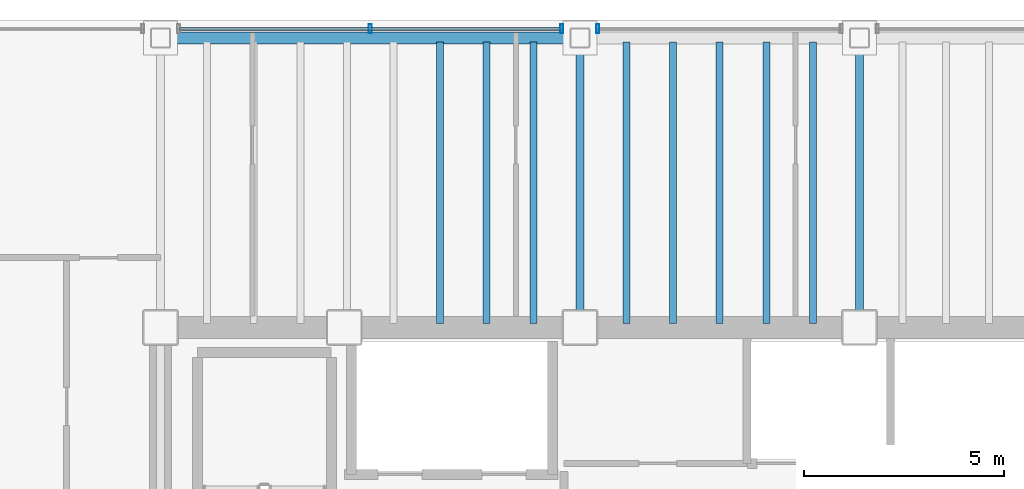
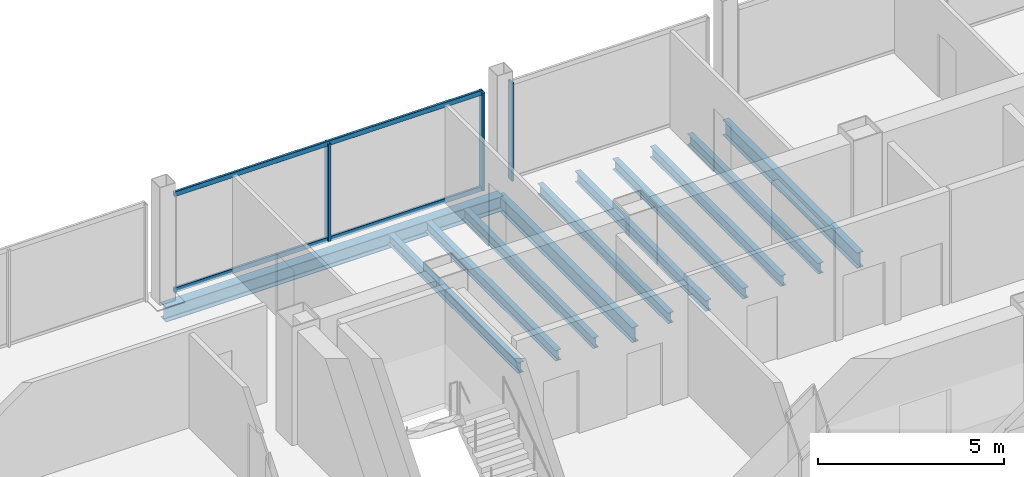
# One storey, part 9 of 19: 11 beams, 5 members, 2 elements without a shape of their own.
"""IFC4 building model written with IfcOpenShell, lengths in metres."""

from ifc_helpers import new_model, si_unit, direction, frame, origin, origin_2d, place, context, subcontext, project, spatial, hollow_rectangle, i_section, extrude, material, material_profile, profile_set, type_object, element, aggregate, save


model = new_model("IFC4")

# Units and contexts
model_context = context("Model", 3, precision=1e-05, world=origin(), true_north=direction((0.0, 1.0)))
body_context = subcontext(model_context, "Body", "Model", "MODEL_VIEW")
ifc_project = project(units=[si_unit("LENGTHUNIT", "METRE"), si_unit("AREAUNIT", "SQUARE_METRE"), si_unit("VOLUMEUNIT", "CUBIC_METRE"), si_unit("PLANEANGLEUNIT", "RADIAN"), si_unit("MASSUNIT", "GRAM", prefix="KILO")], contexts=[model_context])

# Site, building, storey
site_placement = place(None, origin())
site = spatial("IfcSite", under=ifc_project, at=site_placement, CompositionType="ELEMENT")
building_placement = place(site_placement, origin())
building = spatial("IfcBuilding", under=site, at=building_placement, Name="Noeulbin Bourse Tower", CompositionType="ELEMENT")
storey_placement = place(building_placement, frame((0.0, 0.0, 153.89990234375)))
storey = spatial("IfcBuildingStorey", under=building, at=storey_placement, Name="L38", CompositionType="ELEMENT", Elevation=153.89990234375)

# Beams
ifc_material_1 = material(Name="Steel S355", Category="steel")
ifc_material_profile_1 = material_profile(ifc_material_1, i_section(OverallWidth=0.199951171875, OverallDepth=0.5, WebThickness=0.010009765625, FlangeThickness=0.01611328125, FilletRadius=0.02001953125, at=origin_2d()), Name="H-500x200x10x16", Category="LoadBearing")
ifc_profile_set_1 = profile_set([ifc_material_profile_1], Name="Steel S355")
beam_type_1 = type_object("IfcBeamType", Name="BM-GRD-500", PredefinedType="USERDEFINED", material=ifc_profile_set_1)
for number, where, z_axis, x_axis, name in (
    (1, (24.0, 38.300048828125, -0.429931640625), (0.0, 1.0, 0.0), (-1.0, 0.0, 0.0), "Tower Primary Girder NS L38-2.4"),
    (2, (31.0, 38.300048828125, -0.429931640625), (0.0, 1.0, 0.0), (-1.0, 0.0, 0.0), "Tower Primary Girder NS L38-3.4"),
):
    element("IfcBeam", number, at=place(storey_placement, frame(where, z_axis=z_axis, x_axis=x_axis)), inside=storey, type_object=beam_type_1, Name=name, ObjectType="GIRDER", PredefinedType="USERDEFINED", context=body_context, shape_type="SweptSolid", body=[
        extrude(i_section(OverallWidth=0.199951171875, OverallDepth=0.5, WebThickness=0.010009765625, FlangeThickness=0.01611328125, FilletRadius=0.02001953125, at=origin_2d()), origin(), (0.0, 0.0, 1.0), 7.25),
    ])
ifc_material_profile_2 = material_profile(ifc_material_1, i_section(OverallWidth=0.175048828125, OverallDepth=0.35009765625, WebThickness=0.007080078125, FlangeThickness=0.010986328125, FilletRadius=0.013916015625, at=origin_2d()), Name="H-350x175x7x11", Category="LoadBearing")
ifc_profile_set_2 = profile_set([ifc_material_profile_2], Name="Steel S355")
beam_type_2 = type_object("IfcBeamType", Name="BM-JST-350", PredefinedType="JOIST", material=ifc_profile_set_2)
for number, where, z_axis, x_axis, name in (
    (3, (20.5, 38.39990234375, -0.35498046875), (0.0, 1.0, 0.0), (-1.0, 0.0, 0.0), "Tower Composite Joist L38-18"),
    (4, (21.666748046875, 38.39990234375, -0.35498046875), (0.0, 1.0, 0.0), (-1.0, 0.0, 0.0), "Tower Composite Joist L38-21"),
    (5, (22.833251953125, 38.39990234375, -0.35498046875), (0.0, 1.0, 0.0), (-1.0, 0.0, 0.0), "Tower Composite Joist L38-24"),
    (6, (25.166748046875, 38.39990234375, -0.35498046875), (0.0, 1.0, 0.0), (-1.0, 0.0, 0.0), "Tower Composite Joist L38-27"),
    (7, (26.333251953125, 38.39990234375, -0.35498046875), (0.0, 1.0, 0.0), (-1.0, 0.0, 0.0), "Tower Composite Joist L38-30"),
    (8, (27.5, 38.39990234375, -0.35498046875), (0.0, 1.0, 0.0), (-1.0, 0.0, 0.0), "Tower Composite Joist L38-33"),
    (9, (28.666748046875, 38.39990234375, -0.35498046875), (0.0, 1.0, 0.0), (-1.0, 0.0, 0.0), "Tower Composite Joist L38-36"),
    (10, (29.833251953125, 38.39990234375, -0.35498046875), (0.0, 1.0, 0.0), (-1.0, 0.0, 0.0), "Tower Composite Joist L38-39"),
):
    element("IfcBeam", number, at=place(storey_placement, frame(where, z_axis=z_axis, x_axis=x_axis)), inside=storey, type_object=beam_type_2, Name=name, PredefinedType="JOIST", context=body_context, shape_type="SweptSolid", body=[
        extrude(i_section(OverallWidth=0.175048828125, OverallDepth=0.35009765625, WebThickness=0.007080078125, FlangeThickness=0.010986328125, FilletRadius=0.013916015625, at=origin_2d()), origin(), (0.0, 0.0, 1.0), 7.050048828125),
    ])
ifc_material_profile_3 = material_profile(ifc_material_1, i_section(OverallWidth=0.300048828125, OverallDepth=0.488037109375, WebThickness=0.010986328125, FlangeThickness=0.01806640625, FilletRadius=0.02197265625, at=origin_2d()), Name="H-488x300x11x18", Category="LoadBearing")
ifc_profile_set_3 = profile_set([ifc_material_profile_3], Name="Steel S355")
beam_type_3 = type_object("IfcBeamType", Name="BM-SPN-488", PredefinedType="SPANDREL", material=ifc_profile_set_3)
beam_placement = place(storey_placement, frame((13.5, 45.550048828125, -0.423828125), z_axis=(1.0, 0.0, 0.0), x_axis=(0.0, 1.0, 0.0)))
element("IfcBeam", 11, at=beam_placement, inside=storey, type_object=beam_type_3, Name="North Spandrel L38-1", PredefinedType="SPANDREL", context=body_context, shape_type="SweptSolid", body=[
    extrude(i_section(OverallWidth=0.300048828125, OverallDepth=0.488037109375, WebThickness=0.010986328125, FlangeThickness=0.01806640625, FilletRadius=0.02197265625, at=origin_2d()), origin(), (0.0, 0.0, 1.0), 10.5),
])

# Curtain wall, members
ifc_material_2 = material(Name="Dark Tinted Triple Glazing", Category="glass")
curtain_wall_type = type_object("IfcCurtainWallType", Name="CW-SYS-3", PredefinedType="NOTDEFINED", material=ifc_material_2)
curtain_wall_1_placement = place(storey_placement, origin())
curtain_wall_1 = element("IfcCurtainWall", 12, at=curtain_wall_1_placement, inside=storey, type_object=curtain_wall_type, Name="Unitised Curtain Wall CW-L38-N-S2", PredefinedType="NOTDEFINED")
ifc_material_3 = material(Name="Anodised Aluminium 6063-T6", Category="aluminium")
ifc_material_profile_4 = material_profile(ifc_material_3, hollow_rectangle(XDim=0.074951171875, YDim=0.219970703125, WallThickness=0.0048828125, InnerFilletRadius=0.00244140625, OuterFilletRadius=0.0048828125, at=origin_2d()), Name="ALU-MULL-75x220x5", Category="LoadBearing")
ifc_profile_set_4 = profile_set([ifc_material_profile_4], Name="Anodised Aluminium 6063-T6")
member_type_1 = type_object("IfcMemberType", Name="CW-SYS-3-MUL", PredefinedType="MULLION", material=ifc_profile_set_4)
member_1_placement = place(storey_placement, frame((18.75, 45.780029296875, -0.02001953125), z_axis=(0.0, 0.0, 1.0), x_axis=(1.0, 0.0, 0.0)))
member_1 = element("IfcMember", 13, at=member_1_placement, type_object=member_type_1, Name="Curtain Wall Mullion CW-L38-N-S2-M01", PredefinedType="MULLION", context=body_context, shape_type="SweptSolid", body=[
    extrude(hollow_rectangle(XDim=0.074951171875, YDim=0.219970703125, WallThickness=0.0048828125, InnerFilletRadius=0.00244140625, OuterFilletRadius=0.0048828125, at=origin_2d()), origin(), (0.0, 0.0, 1.0), 3.22021484375),
])
member_2_placement = place(storey_placement, frame((23.550048828125, 45.780029296875, -0.02001953125), z_axis=(0.0, 0.0, 1.0), x_axis=(1.0, 0.0, 0.0)))
member_2 = element("IfcMember", 14, at=member_2_placement, type_object=member_type_1, Name="Curtain Wall Mullion CW-L38-N-S2-M02", PredefinedType="MULLION", context=body_context, shape_type="SweptSolid", body=[
    extrude(hollow_rectangle(XDim=0.074951171875, YDim=0.219970703125, WallThickness=0.0048828125, InnerFilletRadius=0.00244140625, OuterFilletRadius=0.0048828125, at=origin_2d()), origin(), (0.0, 0.0, 1.0), 3.22021484375),
])

# Curtain wall, member
curtain_wall_2_placement = place(storey_placement, origin())
curtain_wall_2 = element("IfcCurtainWall", 15, at=curtain_wall_2_placement, inside=storey, type_object=curtain_wall_type, Name="Unitised Curtain Wall CW-L38-N-S3", PredefinedType="NOTDEFINED")
member_3_placement = place(storey_placement, frame((24.449951171875, 45.780029296875, -0.02001953125), z_axis=(0.0, 0.0, 1.0), x_axis=(1.0, 0.0, 0.0)))
member_3 = element("IfcMember", 16, at=member_3_placement, type_object=member_type_1, Name="Curtain Wall Mullion CW-L38-N-S3-M00", PredefinedType="MULLION", context=body_context, shape_type="SweptSolid", body=[
    extrude(hollow_rectangle(XDim=0.074951171875, YDim=0.219970703125, WallThickness=0.0048828125, InnerFilletRadius=0.00244140625, OuterFilletRadius=0.0048828125, at=origin_2d()), origin(), (0.0, 0.0, 1.0), 3.22021484375),
])
aggregate(curtain_wall_2, [member_3])

# Member
ifc_material_profile_5 = material_profile(ifc_material_3, hollow_rectangle(XDim=0.074951171875, YDim=0.159912109375, WallThickness=0.0048828125, InnerFilletRadius=0.00244140625, OuterFilletRadius=0.0048828125, at=origin_2d()), Name="ALU-TRAN-75x160x5", Category="LoadBearing")
ifc_profile_set_5 = profile_set([ifc_material_profile_5], Name="Anodised Aluminium 6063-T6")
member_type_2 = type_object("IfcMemberType", Name="CW-SYS-3-TRN", PredefinedType="USERDEFINED", material=ifc_profile_set_5)
member_4_placement = place(storey_placement, frame((13.9599609375, 45.780029296875, 0.010009765625), z_axis=(1.0, 0.0, 0.0), x_axis=(0.0, 1.0, 0.0)))
member_4 = element("IfcMember", 17, at=member_4_placement, type_object=member_type_2, Name="Curtain Wall Transom CW-L38-N-S2-T00", ObjectType="TRANSOM", PredefinedType="USERDEFINED", context=body_context, shape_type="SweptSolid", body=[
    extrude(hollow_rectangle(XDim=0.074951171875, YDim=0.159912109375, WallThickness=0.0048828125, InnerFilletRadius=0.00244140625, OuterFilletRadius=0.0048828125, at=origin_2d()), origin(), (0.0, 0.0, 1.0), 9.580078125),
])

member_5_placement = place(storey_placement, frame((13.9599609375, 45.780029296875, 3.170166015625), z_axis=(1.0, 0.0, 0.0), x_axis=(0.0, 1.0, 0.0)))
member_5 = element("IfcMember", 18, at=member_5_placement, type_object=member_type_2, Name="Curtain Wall Transom CW-L38-N-S2-T01", ObjectType="TRANSOM", PredefinedType="USERDEFINED", context=body_context, shape_type="SweptSolid", body=[
    extrude(hollow_rectangle(XDim=0.074951171875, YDim=0.159912109375, WallThickness=0.0048828125, InnerFilletRadius=0.00244140625, OuterFilletRadius=0.0048828125, at=origin_2d()), origin(), (0.0, 0.0, 1.0), 9.580078125),
])

aggregate(curtain_wall_1, [member_1, member_2, member_4, member_5])

save(model, "model.ifc")
